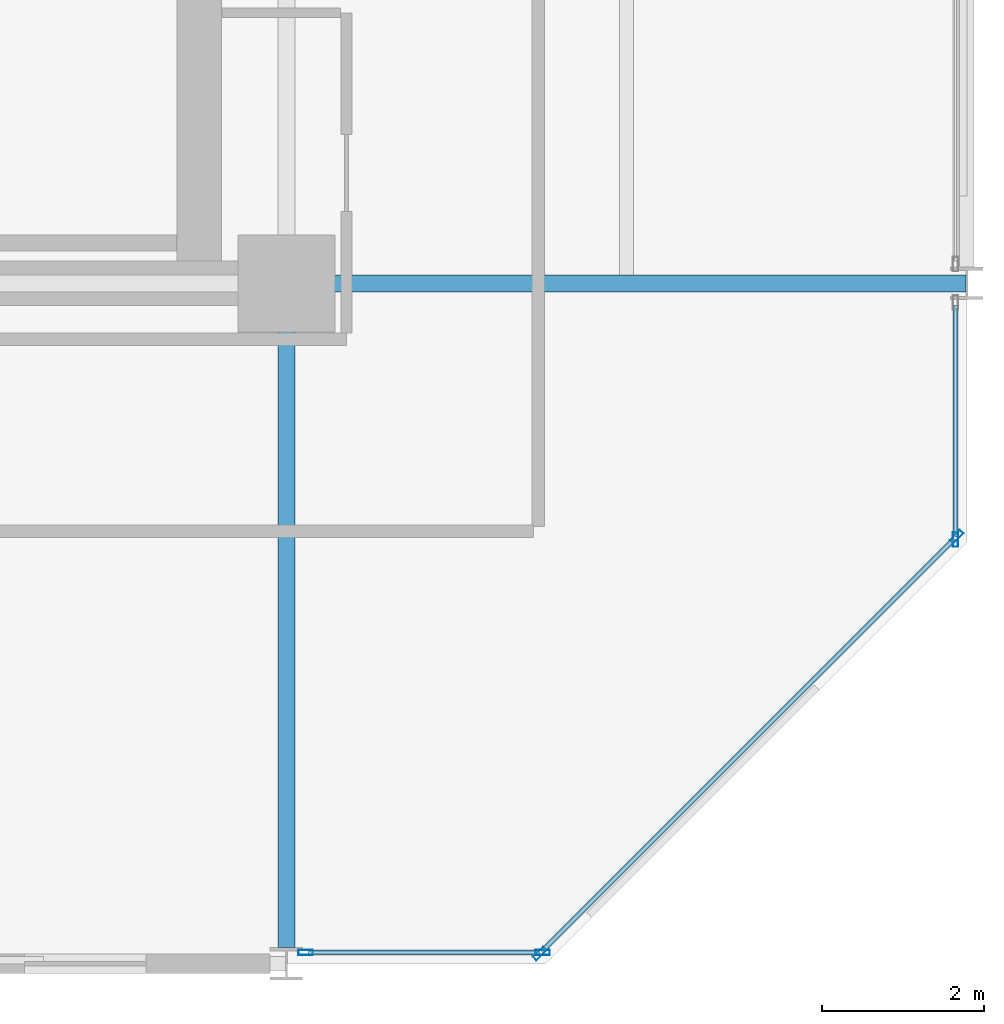
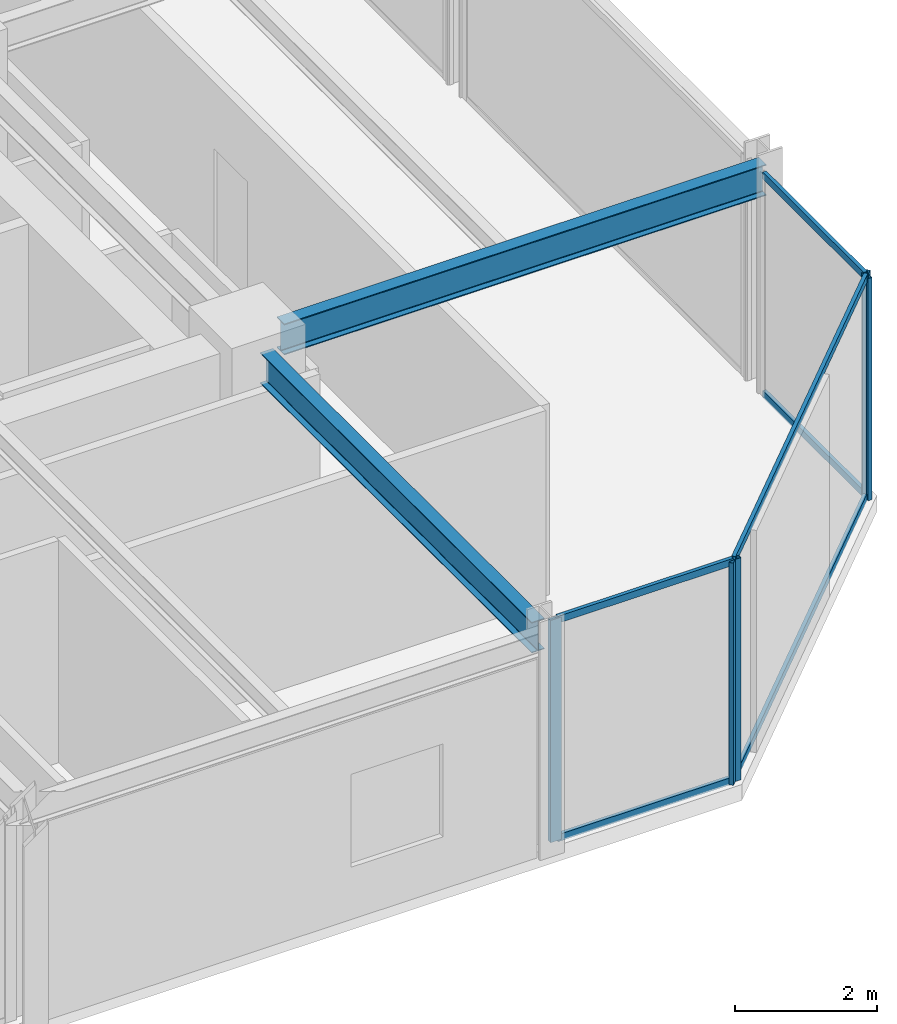
# One storey, part 13 of 29: 11 members, 2 beams, 3 elements without a shape of their own.
"""IFC4 building model written with IfcOpenShell, lengths in metres."""

from ifc_helpers import new_model, si_unit, direction, frame, origin, origin_2d, place, context, subcontext, project, spatial, hollow_rectangle, i_section, extrude, material, layer, layer_set, material_profile, profile_set, type_object, element, aggregate, save


model = new_model("IFC4")

# Units and contexts
model_context = context("Model", 3, precision=1e-05, world=origin(), true_north=direction((0.0, 1.0)))
body_context = subcontext(model_context, "Body", "Model", "MODEL_VIEW")
ifc_project = project(units=[si_unit("LENGTHUNIT", "METRE"), si_unit("AREAUNIT", "SQUARE_METRE"), si_unit("VOLUMEUNIT", "CUBIC_METRE"), si_unit("PLANEANGLEUNIT", "RADIAN"), si_unit("MASSUNIT", "GRAM", prefix="KILO")], contexts=[model_context])

# Site, building, storey
site_placement = place(None, origin())
site = spatial("IfcSite", under=ifc_project, at=site_placement, CompositionType="ELEMENT")
building_placement = place(site_placement, origin())
building = spatial("IfcBuilding", under=site, at=building_placement, Name="Nerrivon Quay Data Exchange", CompositionType="ELEMENT")
storey_placement = place(building_placement, frame((0.0, 0.0, 121.300048828125)))
storey = spatial("IfcBuildingStorey", under=building, at=storey_placement, Name="L28", CompositionType="ELEMENT", Elevation=121.300048828125)

# Beams
ifc_material_1 = material(Name="Steel Grade 350", Category="steel")
ifc_material_profile_1 = material_profile(ifc_material_1, i_section(OverallWidth=0.208984375, OverallDepth=0.532958984375, WebThickness=0.01025390625, FlangeThickness=0.015625, FilletRadius=0.013916015625, at=origin_2d()), Name="530UB92.4")
ifc_profile_set_1 = profile_set([ifc_material_profile_1], Name="Steel Grade 350")
beam_type_1 = type_object("IfcBeamType", Name="BM-G3-530UB92", PredefinedType="BEAM", material=ifc_profile_set_1)
beam_1_placement = place(storey_placement, frame((34.139892578125, 8.39990234375, 3.558349609375), z_axis=(1.0, 0.0, 0.0), x_axis=(0.0, 1.0, 0.0)))
element("IfcBeam", 1, at=beam_1_placement, inside=storey, type_object=beam_type_1, Name="L28 EW Girder Y=8.4 (33.6..42.0)", PredefinedType="BEAM", context=body_context, shape_type="SweptSolid", body=[
    extrude(i_section(OverallWidth=0.208984375, OverallDepth=0.532958984375, WebThickness=0.01025390625, FlangeThickness=0.015625, FilletRadius=0.013916015625, at=origin_2d()), origin(), (0.0, 0.0, 1.0), 7.84765625),
])
ifc_material_profile_2 = material_profile(ifc_material_1, i_section(OverallWidth=0.208984375, OverallDepth=0.528076171875, WebThickness=0.009521484375, FlangeThickness=0.01318359375, FilletRadius=0.013916015625, at=origin_2d()), Name="530UB82.0")
ifc_profile_set_2 = profile_set([ifc_material_profile_2], Name="Steel Grade 350")
beam_type_2 = type_object("IfcBeamType", Name="BM-G4-530UB82", PredefinedType="BEAM", material=ifc_profile_set_2)
beam_2_placement = place(storey_placement, frame((33.60009765625, 0.199951171875, 3.56103515625), z_axis=(0.0, 1.0, 0.0), x_axis=(-1.0, 0.0, 0.0)))
element("IfcBeam", 2, at=beam_2_placement, inside=storey, type_object=beam_type_2, Name="L28 NS Girder X=33.6 (0.0..8.4)", PredefinedType="BEAM", context=body_context, shape_type="SweptSolid", body=[
    extrude(i_section(OverallWidth=0.208984375, OverallDepth=0.528076171875, WebThickness=0.009521484375, FlangeThickness=0.01318359375, FilletRadius=0.013916015625, at=origin_2d()), origin(), (0.0, 0.0, 1.0), 7.66015625),
])

# Curtain wall, members
ifc_material_2 = material(Name="Anodised aluminium 6063-T6", Category="aluminium")
ifc_layer = layer(ifc_material_2, 0.2099609375)
ifc_layer_set = layer_set([ifc_layer], Name="Anodised aluminium 6063-T6")
curtain_wall_type = type_object("IfcCurtainWallType", Name="CW-SYS-02", PredefinedType="NOTDEFINED", material=ifc_layer_set)
curtain_wall_1_placement = place(storey_placement, origin())
curtain_wall_1 = element("IfcCurtainWall", 3, at=curtain_wall_1_placement, inside=storey, type_object=curtain_wall_type, Name="L28 Unitised Curtain Wall 1", PredefinedType="NOTDEFINED")
ifc_material_profile_3 = material_profile(ifc_material_2, hollow_rectangle(XDim=0.06494140625, YDim=0.179931640625, WallThickness=0.00341796875, at=origin_2d()), Name="ALU-MULL-180x65")
ifc_profile_set_3 = profile_set([ifc_material_profile_3], Name="Anodised aluminium 6063-T6")
member_type_1 = type_object("IfcMemberType", Name="CWM-180x65", PredefinedType="MULLION", material=ifc_profile_set_3)
member_1_placement = place(storey_placement, frame((41.87451171875, 5.2724609375, 0.0), z_axis=(0.0, 0.0, 1.0), x_axis=(0.707106781187, -0.707106781187, 0.0)))
member_1 = element("IfcMember", 4, at=member_1_placement, type_object=member_type_1, Name="CW02 mullion 1", PredefinedType="MULLION", context=body_context, shape_type="SweptSolid", body=[
    extrude(hollow_rectangle(XDim=0.06494140625, YDim=0.179931640625, WallThickness=0.00341796875, at=origin_2d()), origin(), (0.0, 0.0, 1.0), 3.824951171875),
])
member_2_placement = place(storey_placement, frame((36.7275390625, 0.12548828125, 0.0), z_axis=(0.0, 0.0, 1.0), x_axis=(0.707106781187, -0.707106781187, 0.0)))
member_2 = element("IfcMember", 5, at=member_2_placement, type_object=member_type_1, Name="CW02 mullion 2", PredefinedType="MULLION", context=body_context, shape_type="SweptSolid", body=[
    extrude(hollow_rectangle(XDim=0.06494140625, YDim=0.179931640625, WallThickness=0.00341796875, at=origin_2d()), origin(), (0.0, 0.0, 1.0), 3.824951171875),
])

curtain_wall_2_placement = place(storey_placement, origin())
curtain_wall_2 = element("IfcCurtainWall", 6, at=curtain_wall_2_placement, inside=storey, type_object=curtain_wall_type, Name="L28 Unitised Curtain Wall 2", PredefinedType="NOTDEFINED")
member_3_placement = place(storey_placement, frame((36.762451171875, 0.139892578125, 0.0), z_axis=(0.0, 0.0, 1.0), x_axis=(0.0, -1.0, 0.0)))
member_3 = element("IfcMember", 7, at=member_3_placement, type_object=member_type_1, Name="CW02 mullion 1", PredefinedType="MULLION", context=body_context, shape_type="SweptSolid", body=[
    extrude(hollow_rectangle(XDim=0.06494140625, YDim=0.179931640625, WallThickness=0.00341796875, at=origin_2d()), origin(), (0.0, 0.0, 1.0), 3.824951171875),
])
member_4_placement = place(storey_placement, frame((33.83740234375, 0.139892578125, 0.0), z_axis=(0.0, 0.0, 1.0), x_axis=(0.0, -1.0, 0.0)))
member_4 = element("IfcMember", 8, at=member_4_placement, type_object=member_type_1, Name="CW02 mullion 2", PredefinedType="MULLION", context=body_context, shape_type="SweptSolid", body=[
    extrude(hollow_rectangle(XDim=0.06494140625, YDim=0.179931640625, WallThickness=0.00341796875, at=origin_2d()), origin(), (0.0, 0.0, 1.0), 3.824951171875),
])

# Curtain wall, member
curtain_wall_3_placement = place(storey_placement, origin())
curtain_wall_3 = element("IfcCurtainWall", 9, at=curtain_wall_3_placement, inside=storey, type_object=curtain_wall_type, Name="L28 Unitised Curtain Wall 30", PredefinedType="NOTDEFINED")
member_5_placement = place(storey_placement, frame((41.860107421875, 5.237548828125, 0.0), z_axis=(0.0, 0.0, 1.0), x_axis=(1.0, 0.0, 0.0)))
member_5 = element("IfcMember", 10, at=member_5_placement, type_object=member_type_1, Name="CW02 mullion 2", PredefinedType="MULLION", context=body_context, shape_type="SweptSolid", body=[
    extrude(hollow_rectangle(XDim=0.06494140625, YDim=0.179931640625, WallThickness=0.00341796875, at=origin_2d()), origin(), (0.0, 0.0, 1.0), 3.824951171875),
])

# Member
ifc_material_profile_4 = material_profile(ifc_material_2, hollow_rectangle(XDim=0.06005859375, YDim=0.1201171875, WallThickness=0.003173828125, at=origin_2d()), Name="ALU-TRAN-120x60")
ifc_profile_set_4 = profile_set([ifc_material_profile_4], Name="Anodised aluminium 6063-T6")
member_type_2 = type_object("IfcMemberType", Name="CWT-120x60", PredefinedType="USERDEFINED", material=ifc_profile_set_4)
member_6_placement = place(storey_placement, frame((41.847900390625, 5.245849609375, 0.032470703125), z_axis=(-0.707106781187, -0.707106781187, 0.0), x_axis=(0.707106781187, -0.707106781187, 0.0)))
member_6 = element("IfcMember", 11, at=member_6_placement, type_object=member_type_2, Name="CW02 transom 1.1", ObjectType="TRANSOM", PredefinedType="USERDEFINED", context=body_context, shape_type="SweptSolid", body=[
    extrude(hollow_rectangle(XDim=0.06005859375, YDim=0.1201171875, WallThickness=0.003173828125, at=origin_2d()), origin(), (0.0, 0.0, 1.0), 7.20361328125),
])

member_7_placement = place(storey_placement, frame((41.847900390625, 5.245849609375, 3.79248046875), z_axis=(-0.707106781187, -0.707106781187, 0.0), x_axis=(0.707106781187, -0.707106781187, 0.0)))
member_7 = element("IfcMember", 12, at=member_7_placement, type_object=member_type_2, Name="CW02 transom 1.2", ObjectType="TRANSOM", PredefinedType="USERDEFINED", context=body_context, shape_type="SweptSolid", body=[
    extrude(hollow_rectangle(XDim=0.06005859375, YDim=0.1201171875, WallThickness=0.003173828125, at=origin_2d()), origin(), (0.0, 0.0, 1.0), 7.20361328125),
])

aggregate(curtain_wall_1, [member_1, member_2, member_6, member_7])

member_8_placement = place(storey_placement, frame((36.72509765625, 0.139892578125, 0.032470703125), z_axis=(-1.0, 0.0, 0.0), x_axis=(0.0, -1.0, 0.0)))
member_8 = element("IfcMember", 13, at=member_8_placement, type_object=member_type_2, Name="CW02 transom 1.1", ObjectType="TRANSOM", PredefinedType="USERDEFINED", context=body_context, shape_type="SweptSolid", body=[
    extrude(hollow_rectangle(XDim=0.06005859375, YDim=0.1201171875, WallThickness=0.003173828125, at=origin_2d()), origin(), (0.0, 0.0, 1.0), 2.85009765625),
])

member_9_placement = place(storey_placement, frame((36.72509765625, 0.139892578125, 3.79248046875), z_axis=(-1.0, 0.0, 0.0), x_axis=(0.0, -1.0, 0.0)))
member_9 = element("IfcMember", 14, at=member_9_placement, type_object=member_type_2, Name="CW02 transom 1.2", ObjectType="TRANSOM", PredefinedType="USERDEFINED", context=body_context, shape_type="SweptSolid", body=[
    extrude(hollow_rectangle(XDim=0.06005859375, YDim=0.1201171875, WallThickness=0.003173828125, at=origin_2d()), origin(), (0.0, 0.0, 1.0), 2.85009765625),
])

aggregate(curtain_wall_2, [member_3, member_4, member_8, member_9])

member_10_placement = place(storey_placement, frame((41.860107421875, 8.125, 0.032470703125), z_axis=(0.0, -1.0, 0.0), x_axis=(1.0, 0.0, 0.0)))
member_10 = element("IfcMember", 15, at=member_10_placement, type_object=member_type_2, Name="CW02 transom 1.1", ObjectType="TRANSOM", PredefinedType="USERDEFINED", context=body_context, shape_type="SweptSolid", body=[
    extrude(hollow_rectangle(XDim=0.06005859375, YDim=0.1201171875, WallThickness=0.003173828125, at=origin_2d()), origin(), (0.0, 0.0, 1.0), 2.85009765625),
])

member_11_placement = place(storey_placement, frame((41.860107421875, 8.125, 3.79248046875), z_axis=(0.0, -1.0, 0.0), x_axis=(1.0, 0.0, 0.0)))
member_11 = element("IfcMember", 16, at=member_11_placement, type_object=member_type_2, Name="CW02 transom 1.2", ObjectType="TRANSOM", PredefinedType="USERDEFINED", context=body_context, shape_type="SweptSolid", body=[
    extrude(hollow_rectangle(XDim=0.06005859375, YDim=0.1201171875, WallThickness=0.003173828125, at=origin_2d()), origin(), (0.0, 0.0, 1.0), 2.85009765625),
])

aggregate(curtain_wall_3, [member_5, member_10, member_11])

save(model, "model.ifc")
